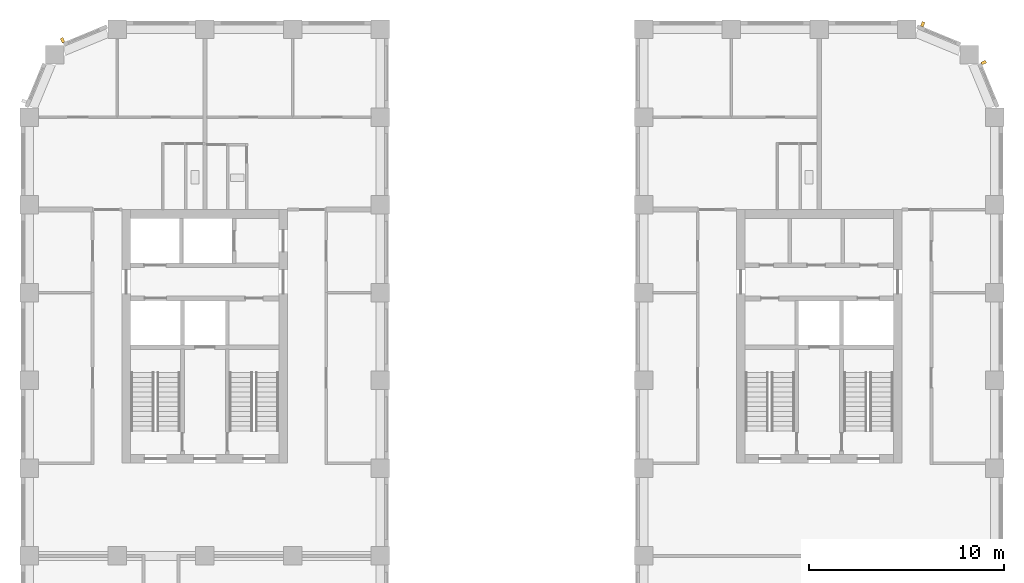
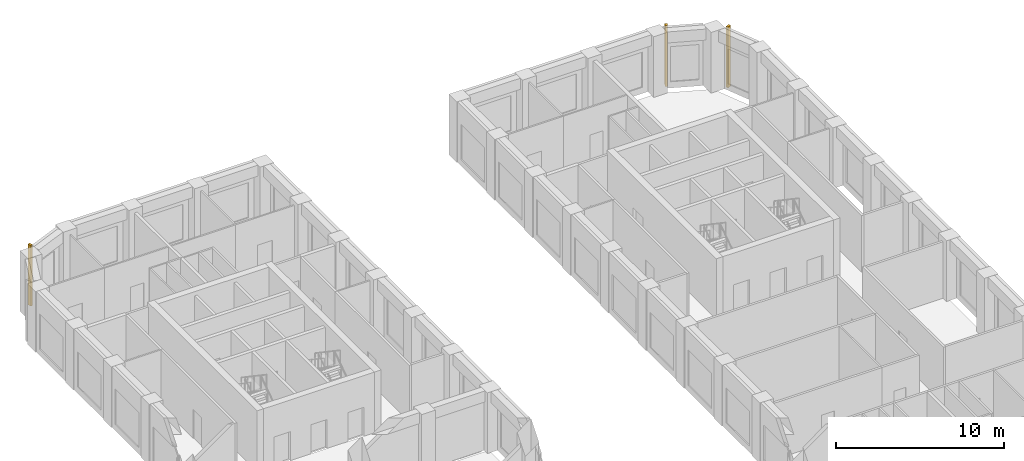
# One storey, part 12 of 13: 3 shading devices.
"""IFC4 building model written with IfcOpenShell, lengths in metres."""

from ifc_helpers import new_model, si_unit, direction, frame, origin, origin_2d, place, context, subcontext, project, spatial, rectangle, extrude, material, type_object, element, save


model = new_model("IFC4")

# Units and contexts
model_context = context("Model", 3, precision=1e-05, world=origin(), true_north=direction((0.0, 1.0)))
body_context = subcontext(model_context, "Body", "Model", "MODEL_VIEW")
ifc_project = project(units=[si_unit("LENGTHUNIT", "METRE"), si_unit("AREAUNIT", "SQUARE_METRE"), si_unit("VOLUMEUNIT", "CUBIC_METRE"), si_unit("PLANEANGLEUNIT", "RADIAN"), si_unit("MASSUNIT", "GRAM", prefix="KILO")], contexts=[model_context])

# Site, building, storey
site_placement = place(None, origin())
site = spatial("IfcSite", under=ifc_project, at=site_placement, CompositionType="ELEMENT")
building_placement = place(site_placement, origin())
building = spatial("IfcBuilding", under=site, at=building_placement, Name="Girih Gate Residences", CompositionType="ELEMENT")
storey_placement = place(building_placement, frame((0.0, 0.0, 159.39990234375)))
storey = spatial("IfcBuildingStorey", under=building, at=storey_placement, Name="L44", CompositionType="ELEMENT", Elevation=159.39990234375)

# Shading devices
ifc_material = material(Name="Precast concrete C50/60", Category="concrete")
shading_device_type = type_object("IfcShadingDeviceType", Name="Corner rib 150x250", PredefinedType="USERDEFINED", material=ifc_material)
for number, where, z_axis, x_axis, name in (
    (1, (1.705322265625, 48.937744140625, 0.000244140625), (0.0, 0.0, 1.0), (-0.923879532511, -0.382683432365, 0.0), "Corner rib NW0045_0495.0"),
    (2, (48.937744140625, 47.794677734375, 0.000244140625), (0.0, 0.0, 1.0), (-0.382683432365, 0.923879532511, 0.0), "Corner rib NE0495_0450.0"),
    (3, (45.808349609375, 49.760498046875, 0.000244140625), (0.0, 0.0, 1.0), (-0.923879532511, 0.382683432365, 0.0), "Corner rib NE0482_0482.0"),
):
    element("IfcShadingDevice", number, at=place(storey_placement, frame(where, z_axis=z_axis, x_axis=x_axis)), inside=storey, type_object=shading_device_type, Name=name, ObjectType="FIN", PredefinedType="USERDEFINED", context=body_context, shape_type="SweptSolid", body=[
        extrude(rectangle(XDim=0.14990234375, YDim=0.25, at=origin_2d()), origin(), (0.0, 0.0, 1.0), 4.39990234375),
    ])

save(model, "model.ifc")
